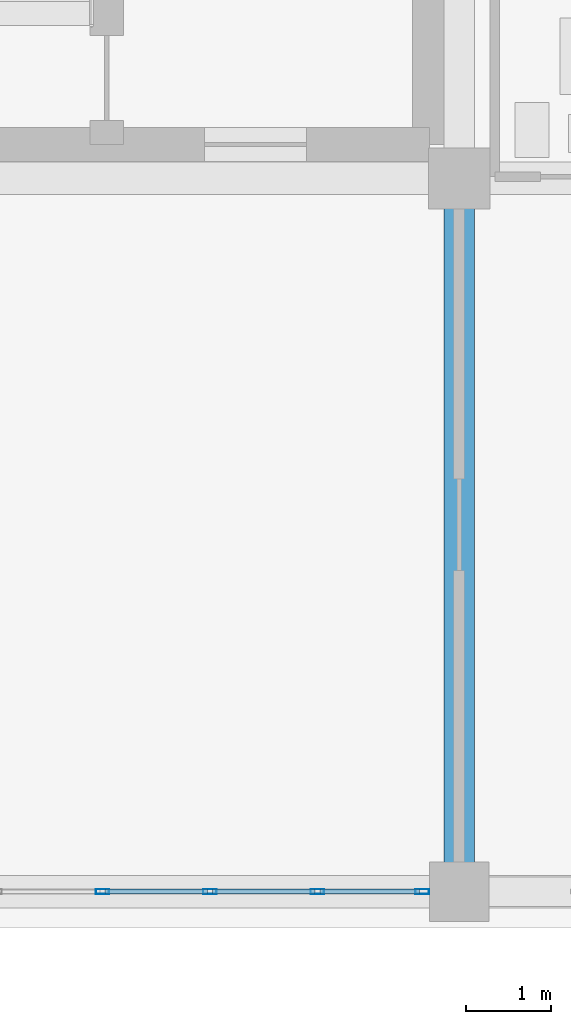
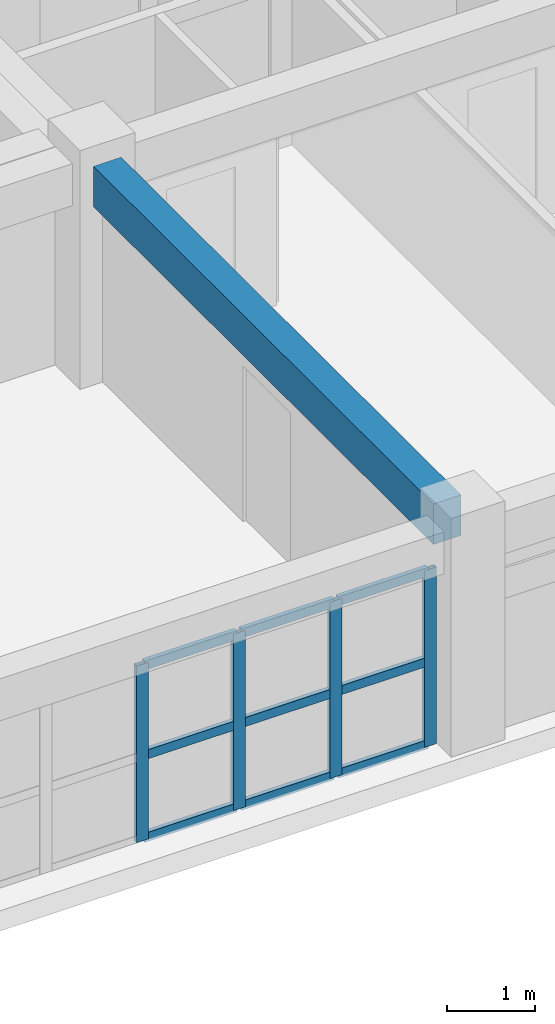
# One storey, part 30 of 148: 13 members, 1 beam, 1 element without a shape of its own.
"""IFC4 building model written with IfcOpenShell, lengths in metres."""

from ifc_helpers import new_model, si_unit, direction, frame, origin, origin_2d, place, context, subcontext, project, spatial, rectangle, hollow_rectangle, extrude, material, layer, layer_set, material_profile, profile_set, type_object, element, aggregate, save


model = new_model("IFC4")

# Units and contexts
model_context = context("Model", 3, precision=1e-05, world=origin(), true_north=direction((0.0, 1.0)))
body_context = subcontext(model_context, "Body", "Model", "MODEL_VIEW")
ifc_project = project(units=[si_unit("LENGTHUNIT", "METRE"), si_unit("AREAUNIT", "SQUARE_METRE"), si_unit("VOLUMEUNIT", "CUBIC_METRE"), si_unit("PLANEANGLEUNIT", "RADIAN"), si_unit("MASSUNIT", "GRAM", prefix="KILO")], contexts=[model_context])

# Site, building, storey
site_placement = place(None, origin())
site = spatial("IfcSite", under=ifc_project, at=site_placement, CompositionType="ELEMENT")
building_placement = place(site_placement, origin())
building = spatial("IfcBuilding", under=site, at=building_placement, Name="Trelvath General Hospital", CompositionType="ELEMENT")
storey_placement = place(building_placement, frame((0.0, 0.0, 12.89990234375)))
storey = spatial("IfcBuildingStorey", under=building, at=storey_placement, Name="L03", CompositionType="ELEMENT", Elevation=12.89990234375)

# Beam
ifc_material_1 = material(Name="Concrete C35/45", Category="concrete")
ifc_material_profile_1 = material_profile(ifc_material_1, rectangle(XDim=0.360107421875, YDim=0.56005859375, at=origin_2d()), Name="RCB360x560")
ifc_profile_set_1 = profile_set([ifc_material_profile_1], Name="Concrete C35/45")
beam_type = type_object("IfcBeamType", Name="Beam RC360x560", PredefinedType="BEAM", material=ifc_profile_set_1)
beam_placement = place(storey_placement, frame((100.800048828125, 0.344970703125, 2.739990234375), z_axis=(0.0, 1.0, 0.0), x_axis=(-1.0, 0.0, 0.0)))
element("IfcBeam", 1, at=beam_placement, inside=storey, type_object=beam_type, Name="Grid Beam BY-312A", PredefinedType="BEAM", context=body_context, shape_type="SweptSolid", body=[
    extrude(rectangle(XDim=0.360107421875, YDim=0.56005859375, at=origin_2d()), origin(), (0.0, 0.0, 1.0), 7.699951171875),
])

# Curtain wall, members
ifc_material_2 = material(Name="Anodised aluminium and low-E glass", Category="aluminium")
ifc_layer = layer(ifc_material_2, 0.159912109375)
ifc_layer_set = layer_set([ifc_layer], Name="Anodised aluminium and low-E glass")
curtain_wall_type = type_object("IfcCurtainWallType", Name="CW Facade 759 244 16", PredefinedType="USERDEFINED", material=ifc_layer_set)
curtain_wall_placement = place(storey_placement, origin())
curtain_wall = element("IfcCurtainWall", 2, at=curtain_wall_placement, inside=storey, type_object=curtain_wall_type, Name="Facade Curtain Wall CW-060", ObjectType="Unitised Glazed Curtain Wall", PredefinedType="USERDEFINED")
ifc_material_3 = material(Name="Anodised aluminium", Category="aluminium")
ifc_material_profile_2 = material_profile(ifc_material_3, hollow_rectangle(XDim=0.06005859375, YDim=0.159912109375, WallThickness=0.00390625, at=origin_2d()), Name="RHS60x160x4")
ifc_profile_set_2 = profile_set([ifc_material_profile_2], Name="Anodised aluminium")
member_type_1 = type_object("IfcMemberType", Name="CurtainMullion 60x160", PredefinedType="MULLION", material=ifc_profile_set_2)
member_1_placement = place(storey_placement, frame((100.364990234375, 0.0, 0.0), z_axis=(0.0, 0.0, 1.0), x_axis=(0.0, -1.0, 0.0)))
member_1 = element("IfcMember", 3, at=member_1_placement, type_object=member_type_1, Name="CW-060 mullion 1", PredefinedType="MULLION", context=body_context, shape_type="SweptSolid", body=[
    extrude(hollow_rectangle(XDim=0.06005859375, YDim=0.159912109375, WallThickness=0.00390625, at=origin_2d()), origin(), (0.0, 0.0, 1.0), 2.440185546875),
])
member_2_placement = place(storey_placement, frame((99.1298828125, 0.0, 0.0), z_axis=(0.0, 0.0, 1.0), x_axis=(0.0, -1.0, 0.0)))
member_2 = element("IfcMember", 4, at=member_2_placement, type_object=member_type_1, Name="CW-060 mullion 2", PredefinedType="MULLION", context=body_context, shape_type="SweptSolid", body=[
    extrude(hollow_rectangle(XDim=0.06005859375, YDim=0.159912109375, WallThickness=0.00390625, at=origin_2d()), origin(), (0.0, 0.0, 1.0), 2.440185546875),
])
member_3_placement = place(storey_placement, frame((97.864990234375, 0.0, 0.0), z_axis=(0.0, 0.0, 1.0), x_axis=(0.0, -1.0, 0.0)))
member_3 = element("IfcMember", 5, at=member_3_placement, type_object=member_type_1, Name="CW-060 mullion 3", PredefinedType="MULLION", context=body_context, shape_type="SweptSolid", body=[
    extrude(hollow_rectangle(XDim=0.06005859375, YDim=0.159912109375, WallThickness=0.00390625, at=origin_2d()), origin(), (0.0, 0.0, 1.0), 2.440185546875),
])
member_4_placement = place(storey_placement, frame((96.60009765625, 0.0, 0.0), z_axis=(0.0, 0.0, 1.0), x_axis=(0.0, -1.0, 0.0)))
member_4 = element("IfcMember", 6, at=member_4_placement, type_object=member_type_1, Name="CW-060 mullion 4", PredefinedType="MULLION", context=body_context, shape_type="SweptSolid", body=[
    extrude(hollow_rectangle(XDim=0.06005859375, YDim=0.159912109375, WallThickness=0.00390625, at=origin_2d()), origin(), (0.0, 0.0, 1.0), 2.440185546875),
])
ifc_material_4 = material(Name="Anodised aluminium", Category="aluminium")
ifc_material_profile_3 = material_profile(ifc_material_4, hollow_rectangle(XDim=0.06005859375, YDim=0.125, WallThickness=0.00390625, at=origin_2d()), Name="RHS60x125x4")
ifc_profile_set_3 = profile_set([ifc_material_profile_3], Name="Anodised aluminium")
member_type_2 = type_object("IfcMemberType", Name="CurtainTransom 60x125", PredefinedType="USERDEFINED", material=ifc_profile_set_3)
member_5_placement = place(storey_placement, frame((100.3349609375, 0.0, 0.030029296875), z_axis=(-1.0, 0.0, 0.0), x_axis=(0.0, -1.0, 0.0)))
member_5 = element("IfcMember", 7, at=member_5_placement, type_object=member_type_2, Name="CW-060 transom 1.1", ObjectType="TRANSOM", PredefinedType="USERDEFINED", context=body_context, shape_type="SweptSolid", body=[
    extrude(hollow_rectangle(XDim=0.06005859375, YDim=0.125, WallThickness=0.00390625, at=origin_2d()), origin(), (0.0, 0.0, 1.0), 1.175048828125),
])
member_6_placement = place(storey_placement, frame((100.3349609375, 0.0, 1.171142578125), z_axis=(-1.0, 0.0, 0.0), x_axis=(0.0, -1.0, 0.0)))
member_6 = element("IfcMember", 8, at=member_6_placement, type_object=member_type_2, Name="CW-060 transom 1.2", ObjectType="TRANSOM", PredefinedType="USERDEFINED", context=body_context, shape_type="SweptSolid", body=[
    extrude(hollow_rectangle(XDim=0.06005859375, YDim=0.125, WallThickness=0.00390625, at=origin_2d()), origin(), (0.0, 0.0, 1.0), 1.175048828125),
])
member_7_placement = place(storey_placement, frame((100.3349609375, 0.0, 2.41015625), z_axis=(-1.0, 0.0, 0.0), x_axis=(0.0, -1.0, 0.0)))
member_7 = element("IfcMember", 9, at=member_7_placement, type_object=member_type_2, Name="CW-060 transom 1.3", ObjectType="TRANSOM", PredefinedType="USERDEFINED", context=body_context, shape_type="SweptSolid", body=[
    extrude(hollow_rectangle(XDim=0.06005859375, YDim=0.125, WallThickness=0.00390625, at=origin_2d()), origin(), (0.0, 0.0, 1.0), 1.175048828125),
])
member_8_placement = place(storey_placement, frame((99.10009765625, 0.0, 0.030029296875), z_axis=(-1.0, 0.0, 0.0), x_axis=(0.0, -1.0, 0.0)))
member_8 = element("IfcMember", 10, at=member_8_placement, type_object=member_type_2, Name="CW-060 transom 2.1", ObjectType="TRANSOM", PredefinedType="USERDEFINED", context=body_context, shape_type="SweptSolid", body=[
    extrude(hollow_rectangle(XDim=0.06005859375, YDim=0.125, WallThickness=0.00390625, at=origin_2d()), origin(), (0.0, 0.0, 1.0), 1.205078125),
])
member_9_placement = place(storey_placement, frame((99.10009765625, 0.0, 1.171142578125), z_axis=(-1.0, 0.0, 0.0), x_axis=(0.0, -1.0, 0.0)))
member_9 = element("IfcMember", 11, at=member_9_placement, type_object=member_type_2, Name="CW-060 transom 2.2", ObjectType="TRANSOM", PredefinedType="USERDEFINED", context=body_context, shape_type="SweptSolid", body=[
    extrude(hollow_rectangle(XDim=0.06005859375, YDim=0.125, WallThickness=0.00390625, at=origin_2d()), origin(), (0.0, 0.0, 1.0), 1.205078125),
])
member_10_placement = place(storey_placement, frame((99.10009765625, 0.0, 2.41015625), z_axis=(-1.0, 0.0, 0.0), x_axis=(0.0, -1.0, 0.0)))
member_10 = element("IfcMember", 12, at=member_10_placement, type_object=member_type_2, Name="CW-060 transom 2.3", ObjectType="TRANSOM", PredefinedType="USERDEFINED", context=body_context, shape_type="SweptSolid", body=[
    extrude(hollow_rectangle(XDim=0.06005859375, YDim=0.125, WallThickness=0.00390625, at=origin_2d()), origin(), (0.0, 0.0, 1.0), 1.205078125),
])
member_11_placement = place(storey_placement, frame((97.8349609375, 0.0, 0.030029296875), z_axis=(-1.0, 0.0, 0.0), x_axis=(0.0, -1.0, 0.0)))
member_11 = element("IfcMember", 13, at=member_11_placement, type_object=member_type_2, Name="CW-060 transom 3.1", ObjectType="TRANSOM", PredefinedType="USERDEFINED", context=body_context, shape_type="SweptSolid", body=[
    extrude(hollow_rectangle(XDim=0.06005859375, YDim=0.125, WallThickness=0.00390625, at=origin_2d()), origin(), (0.0, 0.0, 1.0), 1.205078125),
])
member_12_placement = place(storey_placement, frame((97.8349609375, 0.0, 1.171142578125), z_axis=(-1.0, 0.0, 0.0), x_axis=(0.0, -1.0, 0.0)))
member_12 = element("IfcMember", 14, at=member_12_placement, type_object=member_type_2, Name="CW-060 transom 3.2", ObjectType="TRANSOM", PredefinedType="USERDEFINED", context=body_context, shape_type="SweptSolid", body=[
    extrude(hollow_rectangle(XDim=0.06005859375, YDim=0.125, WallThickness=0.00390625, at=origin_2d()), origin(), (0.0, 0.0, 1.0), 1.205078125),
])
member_13_placement = place(storey_placement, frame((97.8349609375, 0.0, 2.41015625), z_axis=(-1.0, 0.0, 0.0), x_axis=(0.0, -1.0, 0.0)))
member_13 = element("IfcMember", 15, at=member_13_placement, type_object=member_type_2, Name="CW-060 transom 3.3", ObjectType="TRANSOM", PredefinedType="USERDEFINED", context=body_context, shape_type="SweptSolid", body=[
    extrude(hollow_rectangle(XDim=0.06005859375, YDim=0.125, WallThickness=0.00390625, at=origin_2d()), origin(), (0.0, 0.0, 1.0), 1.205078125),
])
aggregate(curtain_wall, [member_1, member_2, member_3, member_4, member_5, member_6, member_7, member_8, member_9, member_10, member_11, member_12, member_13])

save(model, "model.ifc")
